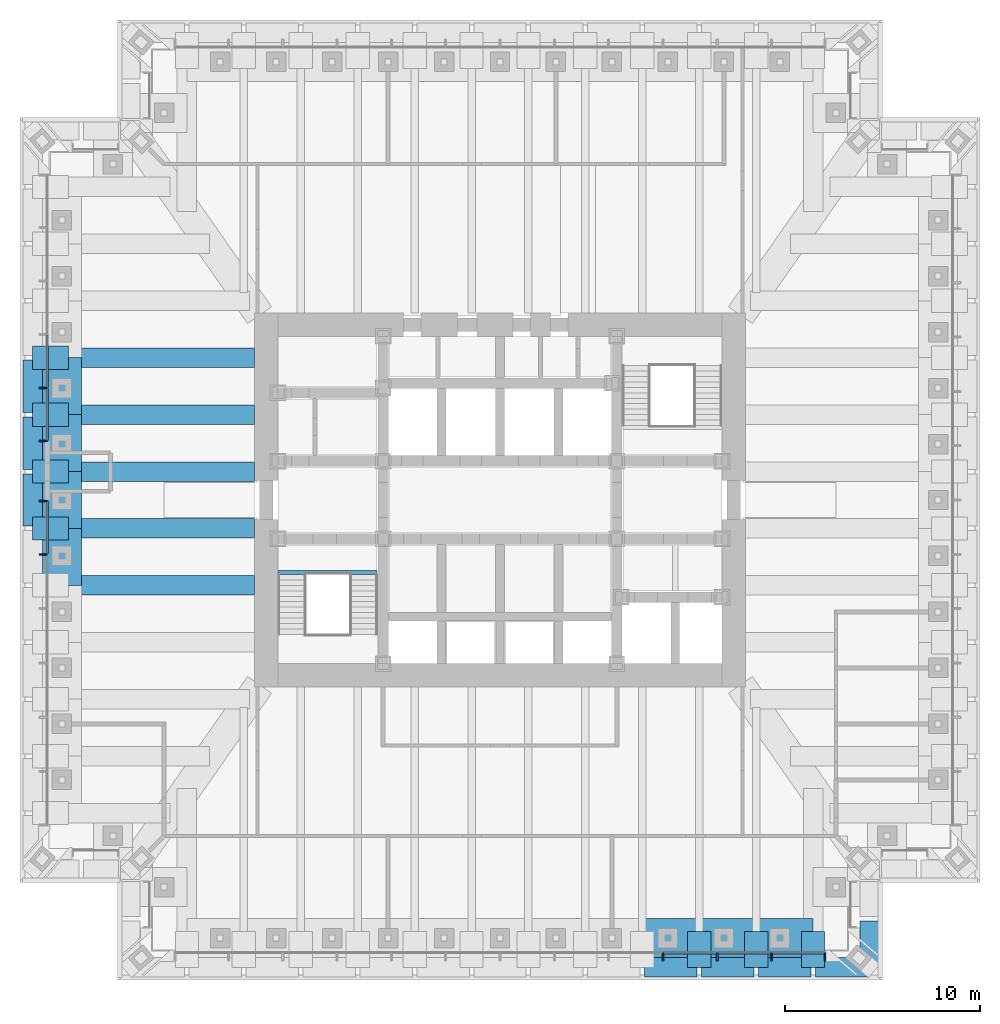
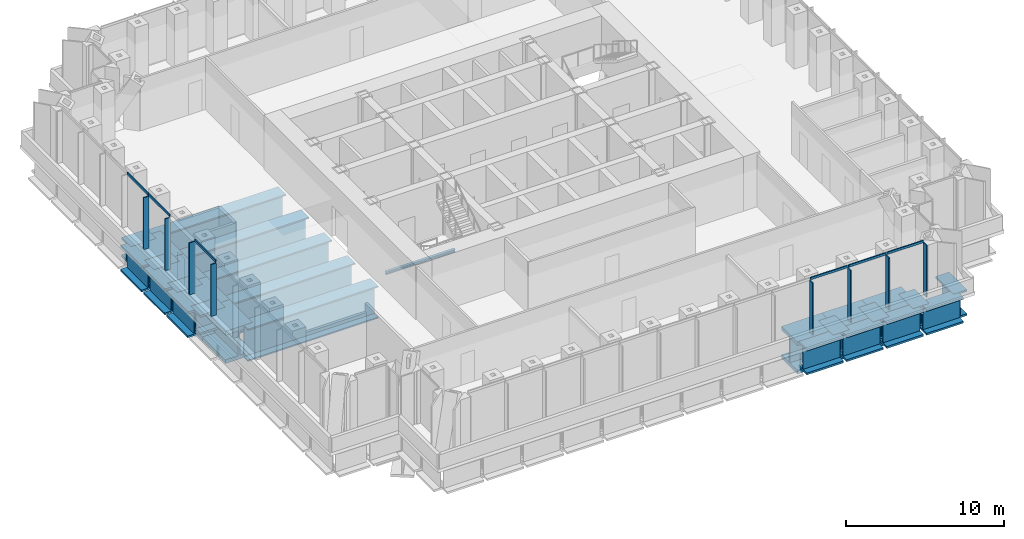
# One storey, part 3 of 13: 28 beams, 14 members, 3 elements without a shape of their own.
"""IFC4 building model written with IfcOpenShell, lengths in metres."""

from ifc_helpers import new_model, si_unit, direction, frame, origin, origin_2d, place, context, subcontext, project, spatial, rectangle, i_section, extrude, material, material_profile, profile_set, type_object, element, aggregate, save


model = new_model("IFC4")

# Units and contexts
model_context = context("Model", 3, precision=1e-05, world=origin(), true_north=direction((0.0, 1.0)))
body_context = subcontext(model_context, "Body", "Model", "MODEL_VIEW")
ifc_project = project(units=[si_unit("LENGTHUNIT", "METRE"), si_unit("AREAUNIT", "SQUARE_METRE"), si_unit("VOLUMEUNIT", "CUBIC_METRE"), si_unit("PLANEANGLEUNIT", "RADIAN"), si_unit("MASSUNIT", "GRAM", prefix="KILO")], contexts=[model_context])

# Site, building, storey
site_placement = place(None, origin())
site = spatial("IfcSite", under=ifc_project, at=site_placement, CompositionType="ELEMENT")
building_placement = place(site_placement, origin())
building = spatial("IfcBuilding", under=site, at=building_placement, Name="Daluyong Arena Tower", CompositionType="ELEMENT")
storey_placement = place(building_placement, frame((0.0, 0.0, 108.10009765625)))
storey = spatial("IfcBuildingStorey", under=building, at=storey_placement, Name="L23", CompositionType="ELEMENT", Elevation=108.10009765625)

# Curtain wall, members
ifc_material_1 = material(Name="Bronze anodised aluminium and glass", Category="aluminium")
curtain_wall_type = type_object("IfcCurtainWallType", Name="Curtain wall CW2", PredefinedType="USERDEFINED", material=ifc_material_1)
curtain_wall_1_placement = place(storey_placement, origin())
curtain_wall_1 = element("IfcCurtainWall", 1, at=curtain_wall_1_placement, inside=storey, type_object=curtain_wall_type, Name="curtain wall L23 S", ObjectType="UNITISED CURTAIN WALL", PredefinedType="USERDEFINED")
ifc_material_2 = material(Name="Bronze anodised aluminium fin", Category="aluminium")
ifc_material_profile_1 = material_profile(ifc_material_2, rectangle(XDim=0.39990234375, YDim=0.080078125, at=origin_2d()))
ifc_profile_set_1 = profile_set([ifc_material_profile_1], Name="Bronze anodised aluminium fin")
member_type_1 = type_object("IfcMemberType", Name="CW2 bronze fin 400x80", PredefinedType="MULLION", material=ifc_profile_set_1)
member_1_placement = place(storey_placement, frame((64.3671875, 56.550048828125, 0.0), z_axis=(0.0, 0.0, 1.0), x_axis=(0.0, 1.0, 0.0)))
member_1 = element("IfcMember", 2, at=member_1_placement, type_object=member_type_1, Name="curtain wall L23 S fin 10", PredefinedType="MULLION", context=body_context, shape_type="SweptSolid", body=[
    extrude(rectangle(XDim=0.39990234375, YDim=0.080078125, at=origin_2d()), origin(), (0.0, 0.0, 1.0), 4.02001953125),
])
member_2_placement = place(storey_placement, frame((67.15625, 56.550048828125, 0.0), z_axis=(0.0, 0.0, 1.0), x_axis=(0.0, 1.0, 0.0)))
member_2 = element("IfcMember", 3, at=member_2_placement, type_object=member_type_1, Name="curtain wall L23 S fin 11", PredefinedType="MULLION", context=body_context, shape_type="SweptSolid", body=[
    extrude(rectangle(XDim=0.39990234375, YDim=0.080078125, at=origin_2d()), origin(), (0.0, 0.0, 1.0), 4.02001953125),
])
member_3_placement = place(storey_placement, frame((69.9453125, 56.550048828125, 0.0), z_axis=(0.0, 0.0, 1.0), x_axis=(0.0, 1.0, 0.0)))
member_3 = element("IfcMember", 4, at=member_3_placement, type_object=member_type_1, Name="curtain wall L23 S fin 12", PredefinedType="MULLION", context=body_context, shape_type="SweptSolid", body=[
    extrude(rectangle(XDim=0.39990234375, YDim=0.080078125, at=origin_2d()), origin(), (0.0, 0.0, 1.0), 4.02001953125),
])
member_4_placement = place(storey_placement, frame((72.694580078125, 56.550048828125, 0.0), z_axis=(0.0, 0.0, 1.0), x_axis=(0.0, 1.0, 0.0)))
member_4 = element("IfcMember", 5, at=member_4_placement, type_object=member_type_1, Name="curtain wall L23 S fin 13", PredefinedType="MULLION", context=body_context, shape_type="SweptSolid", body=[
    extrude(rectangle(XDim=0.39990234375, YDim=0.080078125, at=origin_2d()), origin(), (0.0, 0.0, 1.0), 4.02001953125),
])

curtain_wall_2_placement = place(storey_placement, origin())
curtain_wall_2 = element("IfcCurtainWall", 6, at=curtain_wall_2_placement, inside=storey, type_object=curtain_wall_type, Name="curtain wall L23 W part 1", ObjectType="UNITISED CURTAIN WALL", PredefinedType="USERDEFINED")
member_5_placement = place(storey_placement, frame((32.550048828125, 85.746826171875, 0.0), z_axis=(0.0, 0.0, 1.0), x_axis=(1.0, 0.0, 0.0)))
member_5 = element("IfcMember", 7, at=member_5_placement, type_object=member_type_1, Name="curtain wall L23 W part 1 fin 5", PredefinedType="MULLION", context=body_context, shape_type="SweptSolid", body=[
    extrude(rectangle(XDim=0.39990234375, YDim=0.080078125, at=origin_2d()), origin(), (0.0, 0.0, 1.0), 4.02001953125),
])
member_6_placement = place(storey_placement, frame((32.550048828125, 83.0400390625, 0.0), z_axis=(0.0, 0.0, 1.0), x_axis=(1.0, 0.0, 0.0)))
member_6 = element("IfcMember", 8, at=member_6_placement, type_object=member_type_1, Name="curtain wall L23 W part 1 fin 6", PredefinedType="MULLION", context=body_context, shape_type="SweptSolid", body=[
    extrude(rectangle(XDim=0.39990234375, YDim=0.080078125, at=origin_2d()), origin(), (0.0, 0.0, 1.0), 4.02001953125),
])

curtain_wall_3_placement = place(storey_placement, origin())
curtain_wall_3 = element("IfcCurtainWall", 9, at=curtain_wall_3_placement, inside=storey, type_object=curtain_wall_type, Name="curtain wall L23 W part 2", ObjectType="UNITISED CURTAIN WALL", PredefinedType="USERDEFINED")
member_7_placement = place(storey_placement, frame((32.550048828125, 79.9599609375, 0.0), z_axis=(0.0, 0.0, 1.0), x_axis=(1.0, 0.0, 0.0)))
member_7 = element("IfcMember", 10, at=member_7_placement, type_object=member_type_1, Name="curtain wall L23 W part 2 fin 1", PredefinedType="MULLION", context=body_context, shape_type="SweptSolid", body=[
    extrude(rectangle(XDim=0.39990234375, YDim=0.080078125, at=origin_2d()), origin(), (0.0, 0.0, 1.0), 4.02001953125),
])
member_8_placement = place(storey_placement, frame((32.550048828125, 77.2109375, 0.0), z_axis=(0.0, 0.0, 1.0), x_axis=(1.0, 0.0, 0.0)))
member_8 = element("IfcMember", 11, at=member_8_placement, type_object=member_type_1, Name="curtain wall L23 W part 2 fin 2", PredefinedType="MULLION", context=body_context, shape_type="SweptSolid", body=[
    extrude(rectangle(XDim=0.39990234375, YDim=0.080078125, at=origin_2d()), origin(), (0.0, 0.0, 1.0), 4.02001953125),
])

# Member
ifc_material_3 = material(Name="Bronze anodised aluminium", Category="aluminium")
ifc_material_profile_2 = material_profile(ifc_material_3, rectangle(XDim=0.080078125, YDim=0.179931640625, at=origin_2d()))
ifc_profile_set_2 = profile_set([ifc_material_profile_2], Name="Bronze anodised aluminium")
member_type_2 = type_object("IfcMemberType", Name="CW2 stack transom 180x80", PredefinedType="USERDEFINED", material=ifc_profile_set_2)
member_9_placement = place(storey_placement, frame((64.4072265625, 56.75, 4.10986328125), z_axis=(1.0, 0.0, 0.0), x_axis=(0.0, 1.0, 0.0)))
member_9 = element("IfcMember", 12, at=member_9_placement, type_object=member_type_2, Name="curtain wall L23 S transom 10", ObjectType="TRANSOM", PredefinedType="USERDEFINED", context=body_context, shape_type="SweptSolid", body=[
    extrude(rectangle(XDim=0.080078125, YDim=0.179931640625, at=origin_2d()), origin(), (0.0, 0.0, 1.0), 2.709228515625),
])

member_10_placement = place(storey_placement, frame((67.1962890625, 56.75, 4.10986328125), z_axis=(1.0, 0.0, 0.0), x_axis=(0.0, 1.0, 0.0)))
member_10 = element("IfcMember", 13, at=member_10_placement, type_object=member_type_2, Name="curtain wall L23 S transom 11", ObjectType="TRANSOM", PredefinedType="USERDEFINED", context=body_context, shape_type="SweptSolid", body=[
    extrude(rectangle(XDim=0.080078125, YDim=0.179931640625, at=origin_2d()), origin(), (0.0, 0.0, 1.0), 2.709228515625),
])

member_11_placement = place(storey_placement, frame((69.9853515625, 56.75, 4.10986328125), z_axis=(1.0, 0.0, 0.0), x_axis=(0.0, 1.0, 0.0)))
member_11 = element("IfcMember", 14, at=member_11_placement, type_object=member_type_2, Name="curtain wall L23 S transom 12", ObjectType="TRANSOM", PredefinedType="USERDEFINED", context=body_context, shape_type="SweptSolid", body=[
    extrude(rectangle(XDim=0.080078125, YDim=0.179931640625, at=origin_2d()), origin(), (0.0, 0.0, 1.0), 2.669189453125),
])

aggregate(curtain_wall_1, [member_1, member_2, member_3, member_4, member_9, member_10, member_11])

member_12_placement = place(storey_placement, frame((32.75, 88.453857421875, 4.10986328125), z_axis=(0.0, -1.0, 0.0), x_axis=(1.0, 0.0, 0.0)))
member_12 = element("IfcMember", 15, at=member_12_placement, type_object=member_type_2, Name="curtain wall L23 W part 1 transom 4", ObjectType="TRANSOM", PredefinedType="USERDEFINED", context=body_context, shape_type="SweptSolid", body=[
    extrude(rectangle(XDim=0.080078125, YDim=0.179931640625, at=origin_2d()), origin(), (0.0, 0.0, 1.0), 2.6669921875),
])

member_13_placement = place(storey_placement, frame((32.75, 85.706787109375, 4.10986328125), z_axis=(0.0, -1.0, 0.0), x_axis=(1.0, 0.0, 0.0)))
member_13 = element("IfcMember", 16, at=member_13_placement, type_object=member_type_2, Name="curtain wall L23 W part 1 transom 5", ObjectType="TRANSOM", PredefinedType="USERDEFINED", context=body_context, shape_type="SweptSolid", body=[
    extrude(rectangle(XDim=0.080078125, YDim=0.179931640625, at=origin_2d()), origin(), (0.0, 0.0, 1.0), 2.626708984375),
])

aggregate(curtain_wall_2, [member_5, member_6, member_12, member_13])

member_14_placement = place(storey_placement, frame((32.75, 79.919921875, 4.10986328125), z_axis=(0.0, -1.0, 0.0), x_axis=(1.0, 0.0, 0.0)))
member_14 = element("IfcMember", 17, at=member_14_placement, type_object=member_type_2, Name="curtain wall L23 W part 2 transom 1", ObjectType="TRANSOM", PredefinedType="USERDEFINED", context=body_context, shape_type="SweptSolid", body=[
    extrude(rectangle(XDim=0.080078125, YDim=0.179931640625, at=origin_2d()), origin(), (0.0, 0.0, 1.0), 2.6689453125),
])

aggregate(curtain_wall_3, [member_7, member_8, member_14])

# Beams
ifc_material_4 = material(Name="Steel ASTM A572 Grade 50", Category="steel")
ifc_material_profile_3 = material_profile(ifc_material_4, i_section(OverallWidth=1.0, OverallDepth=2.5, WebThickness=0.05, FlangeThickness=0.1, at=origin_2d()))
ifc_profile_set_3 = profile_set([ifc_material_profile_3], Name="Steel ASTM A572 Grade 50")
beam_type_1 = type_object("IfcBeamType", Name="Floor beam PG2500X1000", PredefinedType="BEAM", material=ifc_profile_set_3)
for number, where, z_axis, x_axis, name in (
    (18, (33.85009765625, 87.3076171875, -1.5), (1.0, 0.0, 0.0), (0.0, 1.0, 0.0), "floor beam FB6"),
    (19, (33.85009765625, 84.384521484375, -1.5), (1.0, 0.0, 0.0), (0.0, 1.0, 0.0), "floor beam FB6"),
    (20, (33.85009765625, 81.46142578125, -1.5), (1.0, 0.0, 0.0), (0.0, 1.0, 0.0), "floor beam FB6"),
    (21, (33.85009765625, 78.53857421875, -1.5), (1.0, 0.0, 0.0), (0.0, 1.0, 0.0), "floor beam FB6"),
    (22, (33.85009765625, 75.615478515625, -1.5), (1.0, 0.0, 0.0), (0.0, 1.0, 0.0), "floor beam FB6"),
):
    element("IfcBeam", number, at=place(storey_placement, frame(where, z_axis=z_axis, x_axis=x_axis)), inside=storey, type_object=beam_type_1, Name=name, PredefinedType="BEAM", context=body_context, shape_type="SweptSolid", body=[
        extrude(i_section(OverallWidth=1.0, OverallDepth=2.5, WebThickness=0.05, FlangeThickness=0.1, at=origin_2d()), origin(), (0.0, 0.0, 1.0), 9.5498046875),
    ])
ifc_material_5 = material(Name="Steel ASTM A588 Grade 50", Category="steel")
ifc_material_profile_4 = material_profile(ifc_material_5, i_section(OverallWidth=1.0, OverallDepth=2.0, WebThickness=0.06, FlangeThickness=0.15, at=origin_2d()))
ifc_profile_set_4 = profile_set([ifc_material_profile_4], Name="Steel ASTM A588 Grade 50")
beam_type_2 = type_object("IfcBeamType", Name="Spandrel Z1 PG2000X1000", PredefinedType="SPANDREL", material=ifc_profile_set_4)
for number, where, z_axis, x_axis, name in (
    (23, (63.422607421875, 56.0, -1.25), (1.0, 0.0, 0.0), (0.0, 1.0, 0.0), "spandrel z1 SB2"),
    (24, (66.345703125, 56.0, -1.25), (1.0, 0.0, 0.0), (0.0, 1.0, 0.0), "spandrel z1 SB2"),
    (25, (69.268798828125, 56.0, -1.25), (1.0, 0.0, 0.0), (0.0, 1.0, 0.0), "spandrel z1 SB2"),
    (26, (72.19189453125, 56.0, -1.25), (1.0, 0.0, 0.0), (0.0, 1.0, 0.0), "spandrel z1 SB2"),
):
    element("IfcBeam", number, at=place(storey_placement, frame(where, z_axis=z_axis, x_axis=x_axis)), inside=storey, type_object=beam_type_2, Name=name, PredefinedType="SPANDREL", context=body_context, shape_type="SweptSolid", body=[
        extrude(i_section(OverallWidth=1.0, OverallDepth=2.0, WebThickness=0.06, FlangeThickness=0.15, at=origin_2d()), origin(), (0.0, 0.0, 1.0), 2.693115234375),
    ])
beam_1_placement = place(storey_placement, frame((75.0, 56.114990234375, -1.25), z_axis=(0.0, 1.0, 0.0), x_axis=(-1.0, 0.0, 0.0)))
element("IfcBeam", 27, at=beam_1_placement, inside=storey, type_object=beam_type_2, Name="spandrel z1 SB2", PredefinedType="SPANDREL", context=body_context, shape_type="SweptSolid", body=[
    extrude(i_section(OverallWidth=1.0, OverallDepth=2.0, WebThickness=0.06, FlangeThickness=0.15, at=origin_2d()), origin(), (0.0, 0.0, 1.0), 2.27001953125),
])
for number, where, z_axis, x_axis, name in (
    (28, (32.0, 87.192626953125, -1.25), (0.0, -1.0, 0.0), (1.0, 0.0, 0.0), "spandrel z1 SB2"),
    (29, (32.0, 84.26953125, -1.25), (0.0, -1.0, 0.0), (1.0, 0.0, 0.0), "spandrel z1 SB2"),
):
    element("IfcBeam", number, at=place(storey_placement, frame(where, z_axis=z_axis, x_axis=x_axis)), inside=storey, type_object=beam_type_2, Name=name, PredefinedType="SPANDREL", context=body_context, shape_type="SweptSolid", body=[
        extrude(i_section(OverallWidth=1.0, OverallDepth=2.0, WebThickness=0.06, FlangeThickness=0.15, at=origin_2d()), origin(), (0.0, 0.0, 1.0), 2.693115234375),
    ])
beam_2_placement = place(storey_placement, frame((32.0, 81.346435546875, -1.25), z_axis=(0.0, -1.0, 0.0), x_axis=(1.0, 0.0, 0.0)))
element("IfcBeam", 30, at=beam_2_placement, inside=storey, type_object=beam_type_2, Name="spandrel z1 SB2", PredefinedType="SPANDREL", context=body_context, shape_type="SweptSolid", body=[
    extrude(i_section(OverallWidth=1.0, OverallDepth=2.0, WebThickness=0.06, FlangeThickness=0.15, at=origin_2d()), origin(), (0.0, 0.0, 1.0), 2.69287109375),
])
ifc_material_6 = material(Name="Steel ASTM A992 Grade 50", Category="steel")
ifc_material_profile_5 = material_profile(ifc_material_6, i_section(OverallWidth=0.203125, OverallDepth=0.203125, WebThickness=0.00732421875, FlangeThickness=0.010986328125, at=origin_2d()))
ifc_profile_set_5 = profile_set([ifc_material_profile_5], Name="Steel ASTM A992 Grade 50")
beam_type_3 = type_object("IfcBeamType", Name="Stair landing beam W8X31", PredefinedType="BEAM", material=ifc_profile_set_5)
beam_3_placement = place(storey_placement, frame((44.60009765625, 76.276611328125, -0.351806640625), z_axis=(1.0, 0.0, 0.0), x_axis=(0.0, 1.0, 0.0)))
element("IfcBeam", 31, at=beam_3_placement, inside=storey, type_object=beam_type_3, Name="exit stair A landing beam", PredefinedType="BEAM", context=body_context, shape_type="SweptSolid", body=[
    extrude(i_section(OverallWidth=0.203125, OverallDepth=0.203125, WebThickness=0.00732421875, FlangeThickness=0.010986328125, at=origin_2d()), origin(), (0.0, 0.0, 1.0), 5.074951171875),
])
ifc_material_7 = material(Name="Steel ASTM A588 Grade 50", Category="steel")
ifc_material_profile_6 = material_profile(ifc_material_7, i_section(OverallWidth=1.199951171875, OverallDepth=1.5, WebThickness=0.08, FlangeThickness=0.15, at=origin_2d()))
ifc_profile_set_6 = profile_set([ifc_material_profile_6], Name="Steel ASTM A588 Grade 50")
beam_type_4 = type_object("IfcBeamType", Name="Transfer beam PG1500X1200", PredefinedType="BEAM", material=ifc_profile_set_6)
for number, where, z_axis, x_axis, name in (
    (32, (66.230712890625, 56.0, -1.0), (0.0, 1.0, 0.0), (-1.0, 0.0, 0.0), "transfer beam TR4"),
    (33, (69.15380859375, 56.0, -1.0), (0.0, 1.0, 0.0), (-1.0, 0.0, 0.0), "transfer beam TR4"),
    (34, (72.076904296875, 56.0, -1.0), (0.0, 1.0, 0.0), (-1.0, 0.0, 0.0), "transfer beam TR4"),
    (35, (32.0, 87.3076171875, -1.0), (1.0, 0.0, 0.0), (0.0, 1.0, 0.0), "transfer beam TR4"),
    (36, (32.0, 84.384521484375, -1.0), (1.0, 0.0, 0.0), (0.0, 1.0, 0.0), "transfer beam TR4"),
    (37, (32.0, 81.46142578125, -1.0), (1.0, 0.0, 0.0), (0.0, 1.0, 0.0), "transfer beam TR4"),
    (38, (32.0, 78.53857421875, -1.0), (1.0, 0.0, 0.0), (0.0, 1.0, 0.0), "transfer beam TR4"),
):
    element("IfcBeam", number, at=place(storey_placement, frame(where, z_axis=z_axis, x_axis=x_axis)), inside=storey, type_object=beam_type_4, Name=name, PredefinedType="BEAM", context=body_context, shape_type="SweptSolid", body=[
        extrude(i_section(OverallWidth=1.199951171875, OverallDepth=1.5, WebThickness=0.08, FlangeThickness=0.15, at=origin_2d()), origin(), (0.0, 0.0, 1.0), 1.85009765625),
    ])
ifc_material_8 = material(Name="Steel ASTM A36", Category="steel")
ifc_material_profile_7 = material_profile(ifc_material_8, i_section(OverallWidth=2.0, OverallDepth=2.5, WebThickness=0.12, FlangeThickness=0.3, at=origin_2d()))
ifc_profile_set_7 = profile_set([ifc_material_profile_7], Name="Steel ASTM A36")
beam_type_5 = type_object("IfcBeamType", Name="Transfer beam PG2500X2000", PredefinedType="BEAM", material=ifc_profile_set_7)
for number, where, z_axis, x_axis, name in (
    (39, (63.3076171875, 57.5, -1.5), (1.0, 0.0, 0.0), (0.0, 1.0, 0.0), "transfer beam TR3"),
    (40, (66.230712890625, 57.5, -1.5), (1.0, 0.0, 0.0), (0.0, 1.0, 0.0), "transfer beam TR3"),
    (41, (69.15380859375, 57.5, -1.5), (1.0, 0.0, 0.0), (0.0, 1.0, 0.0), "transfer beam TR3"),
    (42, (33.5, 75.615478515625, -1.5), (0.0, 1.0, 0.0), (-1.0, 0.0, 0.0), "transfer beam TR3"),
):
    element("IfcBeam", number, at=place(storey_placement, frame(where, z_axis=z_axis, x_axis=x_axis)), inside=storey, type_object=beam_type_5, Name=name, PredefinedType="BEAM", context=body_context, shape_type="SweptSolid", body=[
        extrude(i_section(OverallWidth=2.0, OverallDepth=2.5, WebThickness=0.12, FlangeThickness=0.3, at=origin_2d()), origin(), (0.0, 0.0, 1.0), 2.923095703125),
    ])
beam_4_placement = place(storey_placement, frame((33.5, 78.53857421875, -1.5), z_axis=(0.0, 1.0, 0.0), x_axis=(-1.0, 0.0, 0.0)))
element("IfcBeam", 43, at=beam_4_placement, inside=storey, type_object=beam_type_5, Name="transfer beam TR3", PredefinedType="BEAM", context=body_context, shape_type="SweptSolid", body=[
    extrude(i_section(OverallWidth=2.0, OverallDepth=2.5, WebThickness=0.12, FlangeThickness=0.3, at=origin_2d()), origin(), (0.0, 0.0, 1.0), 2.9228515625),
])
for number, where, z_axis, x_axis, name in (
    (44, (33.5, 81.46142578125, -1.5), (0.0, 1.0, 0.0), (-1.0, 0.0, 0.0), "transfer beam TR3"),
    (45, (33.5, 84.384521484375, -1.5), (0.0, 1.0, 0.0), (-1.0, 0.0, 0.0), "transfer beam TR3"),
):
    element("IfcBeam", number, at=place(storey_placement, frame(where, z_axis=z_axis, x_axis=x_axis)), inside=storey, type_object=beam_type_5, Name=name, PredefinedType="BEAM", context=body_context, shape_type="SweptSolid", body=[
        extrude(i_section(OverallWidth=2.0, OverallDepth=2.5, WebThickness=0.12, FlangeThickness=0.3, at=origin_2d()), origin(), (0.0, 0.0, 1.0), 2.923095703125),
    ])

save(model, "model.ifc")
